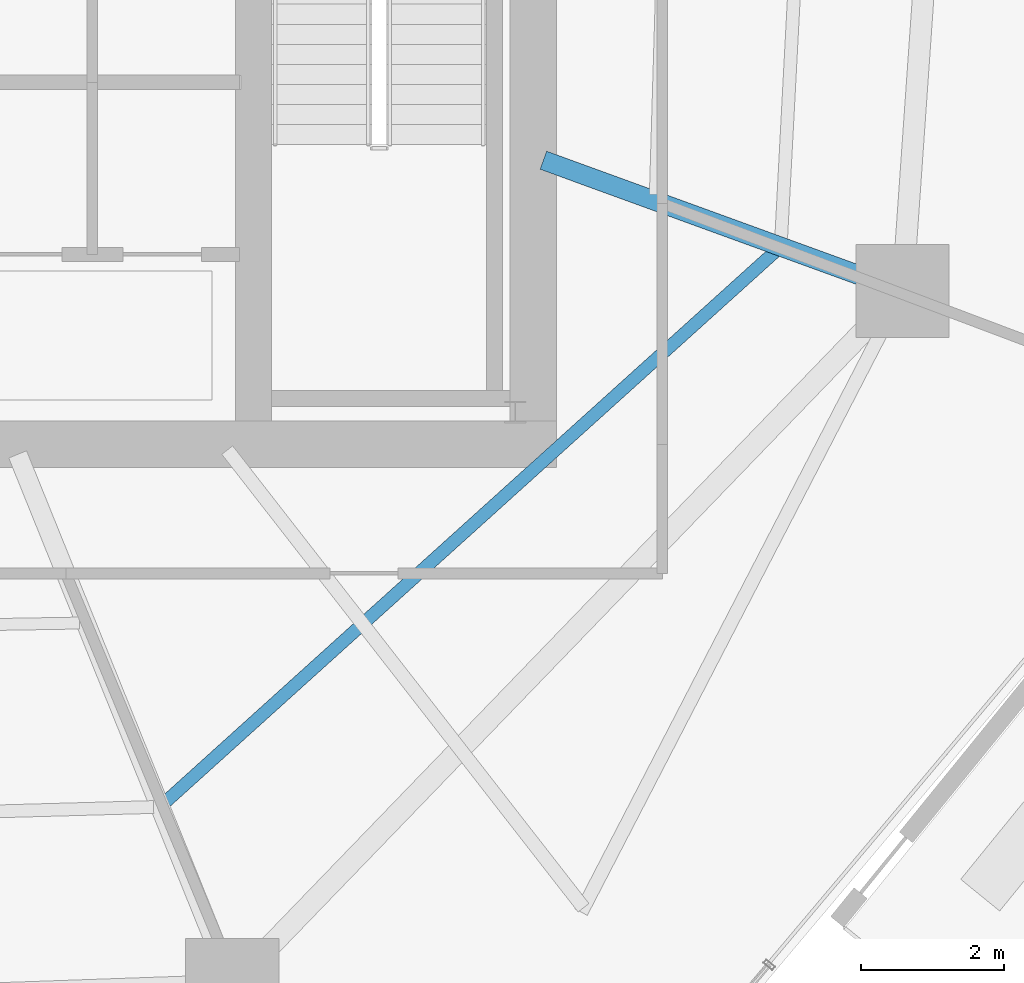
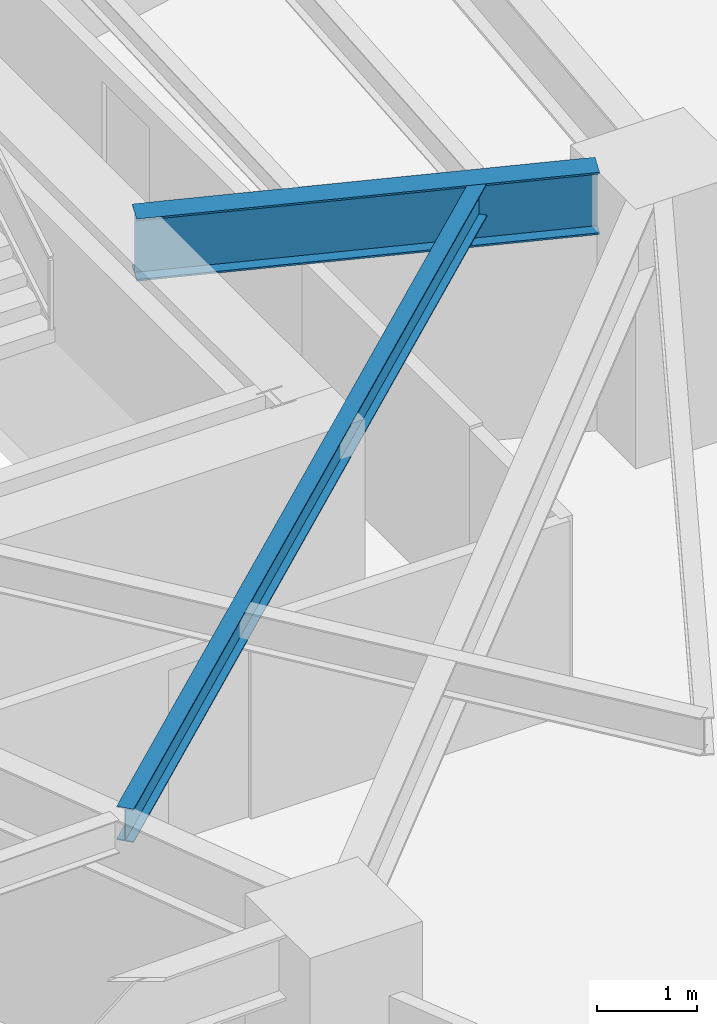
# One storey, part 11 of 31: 2 beams.
"""IFC4 building model written with IfcOpenShell, lengths in metres."""

from ifc_helpers import new_model, si_unit, direction, frame, origin, origin_2d, place, context, subcontext, project, spatial, i_section, extrude, material, material_profile, profile_set, type_object, element, save


model = new_model("IFC4")

# Units and contexts
model_context = context("Model", 3, precision=1e-05, world=origin(), true_north=direction((0.0, 1.0)))
body_context = subcontext(model_context, "Body", "Model", "MODEL_VIEW")
ifc_project = project(units=[si_unit("LENGTHUNIT", "METRE"), si_unit("AREAUNIT", "SQUARE_METRE"), si_unit("VOLUMEUNIT", "CUBIC_METRE"), si_unit("PLANEANGLEUNIT", "RADIAN"), si_unit("MASSUNIT", "GRAM", prefix="KILO")], contexts=[model_context])

# Site, building, storey
site_placement = place(None, origin())
site = spatial("IfcSite", under=ifc_project, at=site_placement, CompositionType="ELEMENT")
building_placement = place(site_placement, origin())
building = spatial("IfcBuilding", under=site, at=building_placement, Name="Qarnah Convention Tower", CompositionType="ELEMENT")
storey_placement = place(building_placement, frame((0.0, 0.0, 33.89990234375)))
storey = spatial("IfcBuildingStorey", under=building, at=storey_placement, Name="L07", CompositionType="ELEMENT", Elevation=33.89990234375)

# Beams
ifc_material = material(Name="Structural steel S355JR", Category="steel")
ifc_material_profile_1 = material_profile(ifc_material, i_section(OverallWidth=0.177978515625, OverallDepth=0.407958984375, WebThickness=0.008056640625, FlangeThickness=0.012939453125, at=origin_2d()), Name="W410X60")
ifc_profile_set_1 = profile_set([ifc_material_profile_1], Name="Structural steel S355JR")
beam_type_1 = type_object("IfcBeamType", Name="BM-JST-W410", PredefinedType="JOIST", material=ifc_profile_set_1)
beam_1_placement = place(storey_placement, frame((42.4609375, 13.60498046875, 2.966064453125), z_axis=(0.742326054704, 0.67003882612, 0.0), x_axis=(-0.67003882612, 0.742326054704, 0.0)))
element("IfcBeam", 1, at=beam_1_placement, inside=storey, type_object=beam_type_1, Name="L07 joist BM-L07-SJST-08", PredefinedType="JOIST", context=body_context, shape_type="SweptSolid", body=[
    extrude(i_section(OverallWidth=0.177978515625, OverallDepth=0.407958984375, WebThickness=0.008056640625, FlangeThickness=0.012939453125, at=origin_2d()), origin(), (0.0, 0.0, 1.0), 11.483154296875),
])
ifc_material_profile_2 = material_profile(ifc_material, i_section(OverallWidth=0.26806640625, OverallDepth=0.760009765625, WebThickness=0.014892578125, FlangeThickness=0.02197265625, at=origin_2d()), Name="W760X185")
ifc_profile_set_2 = profile_set([ifc_material_profile_2], Name="Structural steel S355JR")
beam_type_2 = type_object("IfcBeamType", Name="BM-RAD-W760", PredefinedType="BEAM", material=ifc_profile_set_2)
beam_2_placement = place(storey_placement, frame((47.740966796875, 22.56396484375, 2.7900390625), z_axis=(0.939656930297, -0.342118186224, 0.0), x_axis=(0.342118186224, 0.939656930297, 0.0)))
element("IfcBeam", 2, at=beam_2_placement, inside=storey, type_object=beam_type_2, Name="L07 beam BM-L07-RAD-09", PredefinedType="BEAM", context=body_context, shape_type="SweptSolid", body=[
    extrude(i_section(OverallWidth=0.26806640625, OverallDepth=0.760009765625, WebThickness=0.014892578125, FlangeThickness=0.02197265625, at=origin_2d()), origin(), (0.0, 0.0, 1.0), 4.70263671875),
])

save(model, "model.ifc")
